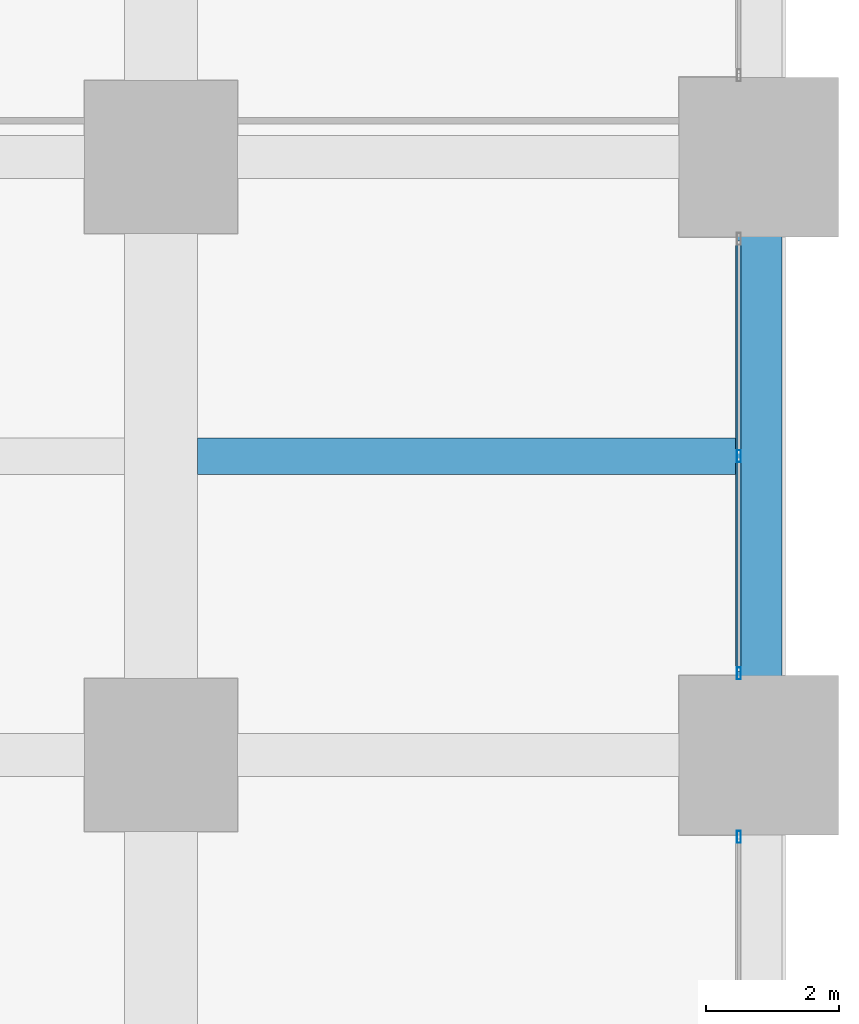
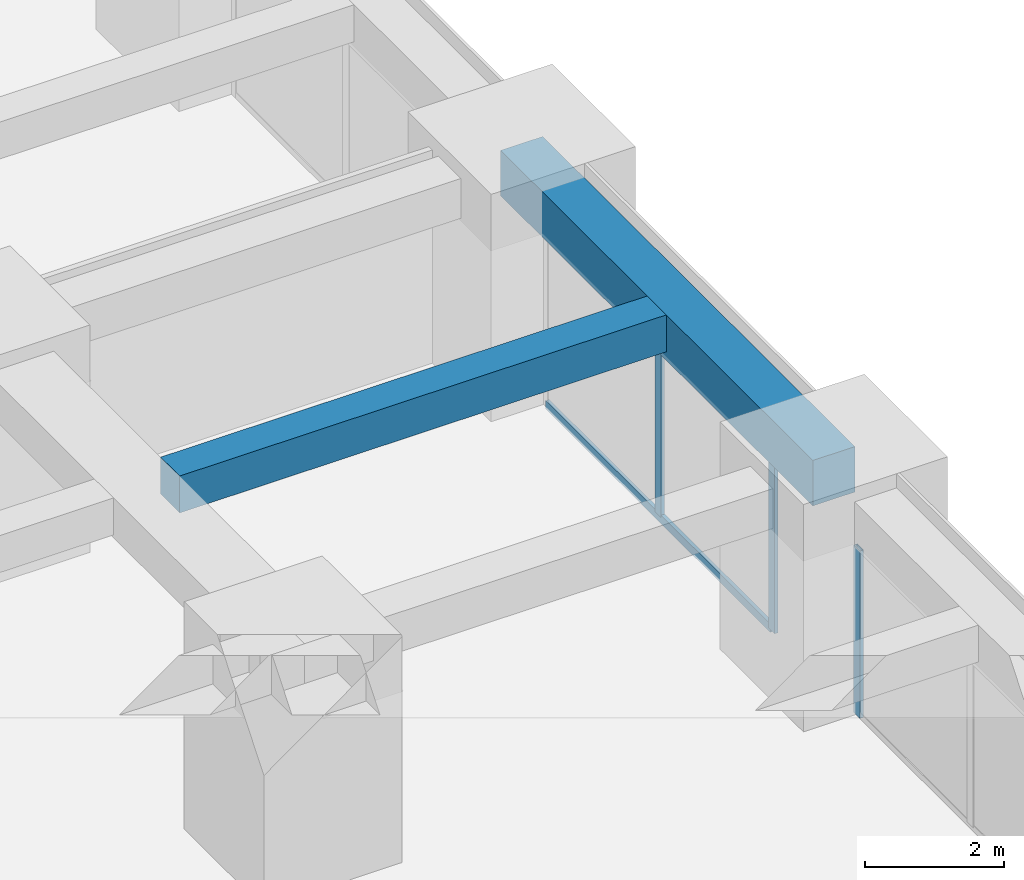
# One storey, part 22 of 44: 4 members, 2 beams, 2 elements without a shape of their own.
"""IFC4 building model written with IfcOpenShell, lengths in metres."""

from ifc_helpers import new_model, si_unit, direction, frame, origin, origin_2d, place, context, subcontext, project, spatial, rectangle, hollow_rectangle, extrude, material, material_profile, profile_set, type_object, element, aggregate, save


model = new_model("IFC4")

# Units and contexts
model_context = context("Model", 3, precision=1e-05, world=origin(), true_north=direction((0.0, 1.0)))
body_context = subcontext(model_context, "Body", "Model", "MODEL_VIEW")
ifc_project = project(units=[si_unit("LENGTHUNIT", "METRE"), si_unit("AREAUNIT", "SQUARE_METRE"), si_unit("VOLUMEUNIT", "CUBIC_METRE"), si_unit("PLANEANGLEUNIT", "RADIAN"), si_unit("MASSUNIT", "GRAM", prefix="KILO")], contexts=[model_context])

# Site, building, storey
site_placement = place(None, origin())
site = spatial("IfcSite", under=ifc_project, at=site_placement, CompositionType="ELEMENT")
building_placement = place(site_placement, origin())
building = spatial("IfcBuilding", under=site, at=building_placement, Name="Zorevar Civic Tower", CompositionType="ELEMENT")
storey_placement = place(building_placement, frame((0.0, 0.0, 43.800048828125)))
storey = spatial("IfcBuildingStorey", under=building, at=storey_placement, Name="L10", CompositionType="ELEMENT", Elevation=43.800048828125)

# Beam
ifc_material_1 = material(Name="Concrete C50/60", Category="concrete")
ifc_material_profile_1 = material_profile(ifc_material_1, rectangle(XDim=0.550048828125, YDim=0.64990234375, at=origin_2d()), Name="RC 550x650")
ifc_profile_set_1 = profile_set([ifc_material_profile_1], Name="Concrete C50/60")
beam_type_1 = type_object("IfcBeamType", Name="Beam RC 550x650", PredefinedType="BEAM", material=ifc_profile_set_1)
beam_1_placement = place(storey_placement, frame((54.550048828125, 31.5, 3.425048828125), z_axis=(1.0, 0.0, 0.0), x_axis=(0.0, 1.0, 0.0)))
element("IfcBeam", 1, at=beam_1_placement, inside=storey, type_object=beam_type_1, Name="Secondary beam L11", PredefinedType="BEAM", context=body_context, shape_type="SweptSolid", body=[
    extrude(rectangle(XDim=0.550048828125, YDim=0.64990234375, at=origin_2d()), origin(), (0.0, 0.0, 1.0), 8.099853515625),
])

# Curtain wall, member
ifc_material_2 = material(Name="Dark grey solar-control glass in black aluminium frame", Category="aluminium")
curtain_wall_type = type_object("IfcCurtainWallType", Name="Curtain wall CW2 low zone", PredefinedType="NOTDEFINED", material=ifc_material_2)
curtain_wall_1_placement = place(storey_placement, origin())
curtain_wall_1 = element("IfcCurtainWall", 2, at=curtain_wall_1_placement, inside=storey, type_object=curtain_wall_type, Name="CW2 L10", PredefinedType="NOTDEFINED")
ifc_material_3 = material(Name="Aluminium, black anodised", Category="aluminium")
ifc_material_profile_2 = material_profile(ifc_material_3, hollow_rectangle(XDim=0.06005859375, YDim=0.179931640625, WallThickness=0.00390625, at=origin_2d()), Name="AL 180x60x4")
ifc_profile_set_2 = profile_set([ifc_material_profile_2], Name="Aluminium, black anodised")
member_type_1 = type_object("IfcMemberType", Name="CW2 mullion AL 180x60x4", PredefinedType="MULLION", material=ifc_profile_set_2)
member_1_placement = place(storey_placement, frame((62.699951171875, 25.77001953125, 0.0), z_axis=(0.0, 0.0, 1.0), x_axis=(-1.0, 0.0, 0.0)))
member_1 = element("IfcMember", 3, at=member_1_placement, type_object=member_type_1, Name="CW2 mullion 3", PredefinedType="MULLION", context=body_context, shape_type="SweptSolid", body=[
    extrude(hollow_rectangle(XDim=0.06005859375, YDim=0.179931640625, WallThickness=0.00390625, at=origin_2d()), origin(), (0.0, 0.0, 1.0), 2.949951171875),
])
aggregate(curtain_wall_1, [member_1])

# Curtain wall, members
curtain_wall_2_placement = place(storey_placement, origin())
curtain_wall_2 = element("IfcCurtainWall", 4, at=curtain_wall_2_placement, inside=storey, type_object=curtain_wall_type, Name="CW2 L10", PredefinedType="NOTDEFINED")
member_2_placement = place(storey_placement, frame((62.699951171875, 28.22998046875, 0.0), z_axis=(0.0, 0.0, 1.0), x_axis=(-1.0, 0.0, 0.0)))
member_2 = element("IfcMember", 5, at=member_2_placement, type_object=member_type_1, Name="CW2 mullion 1", PredefinedType="MULLION", context=body_context, shape_type="SweptSolid", body=[
    extrude(hollow_rectangle(XDim=0.06005859375, YDim=0.179931640625, WallThickness=0.00390625, at=origin_2d()), origin(), (0.0, 0.0, 1.0), 2.949951171875),
])
member_3_placement = place(storey_placement, frame((62.699951171875, 31.5, 0.06005859375), z_axis=(0.0, 0.0, 1.0), x_axis=(-1.0, 0.0, 0.0)))
member_3 = element("IfcMember", 6, at=member_3_placement, type_object=member_type_1, Name="CW2 mullion 2", PredefinedType="MULLION", context=body_context, shape_type="SweptSolid", body=[
    extrude(hollow_rectangle(XDim=0.06005859375, YDim=0.179931640625, WallThickness=0.00390625, at=origin_2d()), origin(), (0.0, 0.0, 1.0), 2.889892578125),
])
ifc_material_4 = material(Name="Aluminium, black anodised", Category="aluminium")
ifc_material_profile_3 = material_profile(ifc_material_4, hollow_rectangle(XDim=0.06005859375, YDim=0.14990234375, WallThickness=0.00390625, at=origin_2d()), Name="AL 150x60x4")
ifc_profile_set_3 = profile_set([ifc_material_profile_3], Name="Aluminium, black anodised")
member_type_2 = type_object("IfcMemberType", Name="CW2 transom AL 150x60x4", PredefinedType="USERDEFINED", material=ifc_profile_set_3)
member_4_placement = place(storey_placement, frame((62.699951171875, 28.260009765625, 0.030029296875), z_axis=(0.0, 1.0, 0.0), x_axis=(-1.0, 0.0, 0.0)))
member_4 = element("IfcMember", 7, at=member_4_placement, type_object=member_type_2, Name="CW2 sill transom", ObjectType="TRANSOM", PredefinedType="USERDEFINED", context=body_context, shape_type="SweptSolid", body=[
    extrude(hollow_rectangle(XDim=0.06005859375, YDim=0.14990234375, WallThickness=0.00390625, at=origin_2d()), origin(), (0.0, 0.0, 1.0), 6.47998046875),
])
aggregate(curtain_wall_2, [member_2, member_3, member_4])

# Beam
ifc_material_5 = material(Name="Concrete C50/60", Category="concrete")
ifc_material_profile_4 = material_profile(ifc_material_5, rectangle(XDim=0.699951171875, YDim=0.800048828125, at=origin_2d()), Name="RC 700x800")
ifc_profile_set_4 = profile_set([ifc_material_profile_4], Name="Concrete C50/60")
beam_type_2 = type_object("IfcBeamType", Name="Edge beam RC 700x800", PredefinedType="SPANDREL", material=ifc_profile_set_4)
beam_2_placement = place(storey_placement, frame((63.0, 27.0, 3.349853515625), z_axis=(0.0, 1.0, 0.0), x_axis=(-1.0, 0.0, 0.0)))
element("IfcBeam", 8, at=beam_2_placement, inside=storey, type_object=beam_type_2, Name="Edge beam L11", PredefinedType="SPANDREL", context=body_context, shape_type="SweptSolid", body=[
    extrude(rectangle(XDim=0.699951171875, YDim=0.800048828125, at=origin_2d()), origin(), (0.0, 0.0, 1.0), 9.0),
])

save(model, "model.ifc")
